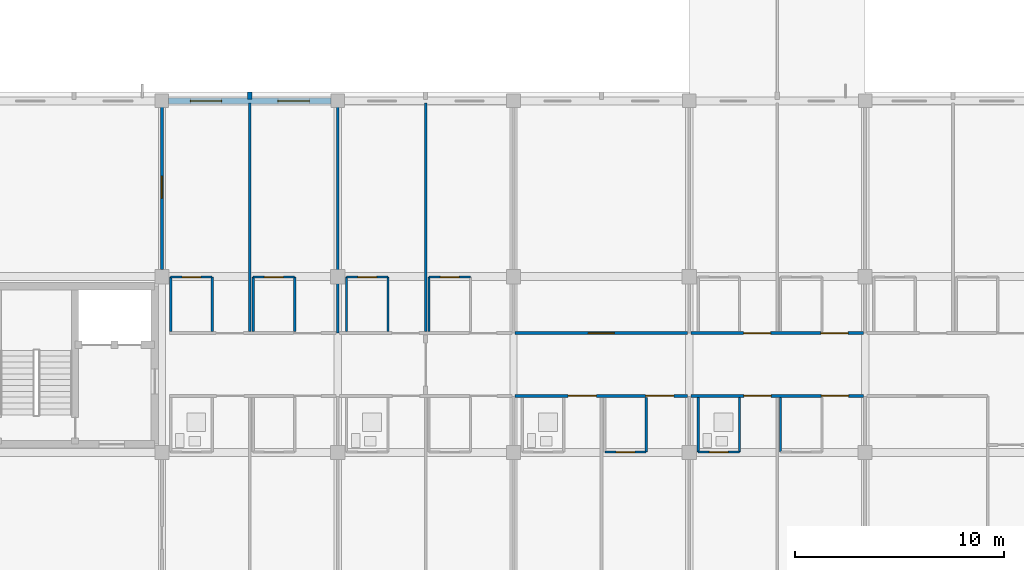
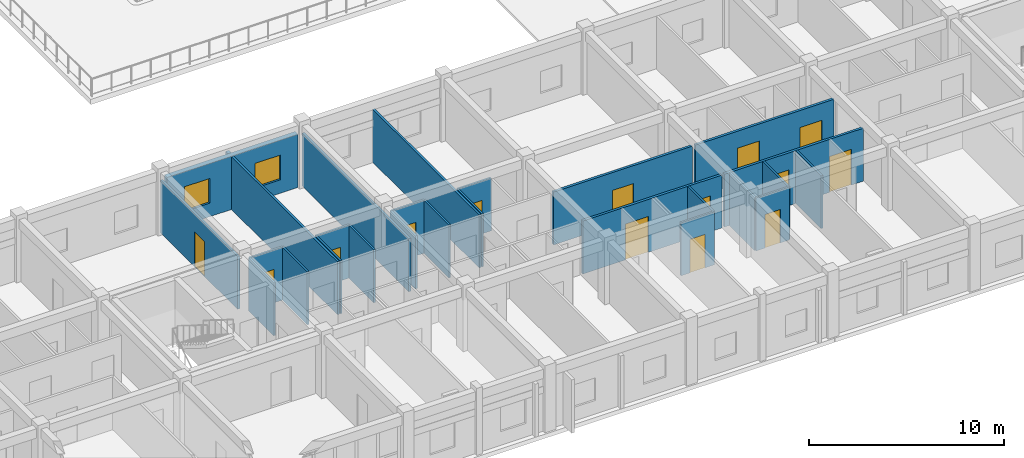
# One storey, part 63 of 90: 27 walls, 14 doors, 2 windows, 16 openings.
"""IFC4 building model written with IfcOpenShell, lengths in metres."""

from ifc_helpers import new_model, si_unit, direction, frame, frame_2d, origin, place, context, subcontext, project, spatial, rectangle, extrude, material, layer, layer_set, type_object, element, fill, save


model = new_model("IFC4")

# Units and contexts
model_context = context("Model", 3, precision=1e-05, world=origin(), true_north=direction((0.0, 1.0)))
body_context = subcontext(model_context, "Body", "Model", "MODEL_VIEW")
ifc_project = project(units=[si_unit("LENGTHUNIT", "METRE"), si_unit("AREAUNIT", "SQUARE_METRE"), si_unit("VOLUMEUNIT", "CUBIC_METRE"), si_unit("PLANEANGLEUNIT", "RADIAN"), si_unit("MASSUNIT", "GRAM", prefix="KILO")], contexts=[model_context])

# Site, building, storey
site_placement = place(None, origin())
site = spatial("IfcSite", under=ifc_project, at=site_placement, CompositionType="ELEMENT")
building_placement = place(site_placement, origin())
building = spatial("IfcBuilding", under=site, at=building_placement, Name="Trelvath General Hospital", CompositionType="ELEMENT")
storey_placement = place(building_placement, frame((0.0, 0.0, 20.39990234375)))
storey = spatial("IfcBuildingStorey", under=building, at=storey_placement, Name="L05", CompositionType="ELEMENT", Elevation=20.39990234375)

# Wall
ifc_material_1 = material(Name="Precast concrete C40/50", Category="concrete")
ifc_layer_1 = layer(ifc_material_1, 0.199951171875)
ifc_layer_set_1 = layer_set([ifc_layer_1], Name="Precast concrete C40/50")
wall_type_1 = type_object("IfcWallType", Name="BriseSoleilRib 200", PredefinedType="ELEMENTEDWALL", material=ifc_layer_set_1)
wall_1_placement = place(storey_placement, frame((54.60009765625, 25.27490234375, 0.0), z_axis=(0.0, 0.0, 1.0), x_axis=(0.0, 1.0, 0.0)))
element("IfcWall", 1, at=wall_1_placement, inside=storey, type_object=wall_type_1, Name="Precast Concrete Brise-Soleil Rib Fin L05-371", PredefinedType="ELEMENTEDWALL", context=body_context, shape_type="SweptSolid", body=[
    extrude(rectangle(XDim=0.340087890625, YDim=0.199951171875, at=frame_2d((0.169921875, 0.0))), origin(), (0.0, 0.0, 1.0), 3.320068359375),
])

# Wall, openings, doors
ifc_material_2 = material(Name="Gypsum acoustic steel-stud partition", Category="steel")
ifc_layer_2 = layer(ifc_material_2, 0.14990234375)
ifc_layer_set_2 = layer_set([ifc_layer_2], Name="Gypsum acoustic steel-stud partition")
wall_type_2 = type_object("IfcWallType", Name="ClinicalPartition 150", PredefinedType="PARTITIONING", material=ifc_layer_set_2)
wall_2_placement = place(storey_placement, frame((67.280029296875, 11.10009765625, 0.0), z_axis=(0.0, 0.0, 1.0), x_axis=(1.0, 0.0, 0.0)))
wall_2 = element("IfcWall", 2, at=wall_2_placement, inside=storey, type_object=wall_type_2, Name="Corridor Partition L05-1797", PredefinedType="PARTITIONING", context=body_context, shape_type="SweptSolid", body=[
    extrude(rectangle(XDim=8.239990234375, YDim=0.14990234375, at=frame_2d((4.1201171875, 0.0))), origin(), (0.0, 0.0, 1.0), 3.320068359375),
])
opening_1_placement = place(wall_2_placement, frame((2.530029296875, 0.0, 0.0)))
opening_1 = element("IfcOpeningElement", 3, at=opening_1_placement, cuts=wall_2, Name="Opening D-5-1189", PredefinedType="OPENING", context=body_context, shape_type="SweptSolid", body=[
    extrude(rectangle(XDim=1.35009765625, YDim=2.25, at=frame_2d((0.675048828125, 1.125))), frame((0.0, 0.0849609375, 0.0), z_axis=(0.0, -1.0, 0.0), x_axis=(1.0, 0.0, 0.0)), (0.0, 0.0, 1.0), 0.169921875),
])
opening_2_placement = place(wall_2_placement, frame((6.22998046875, 0.0, 0.0)))
opening_2 = element("IfcOpeningElement", 4, at=opening_2_placement, cuts=wall_2, Name="Opening D-5-1190", PredefinedType="OPENING", context=body_context, shape_type="SweptSolid", body=[
    extrude(rectangle(XDim=1.35009765625, YDim=2.25, at=frame_2d((0.675048828125, 1.125))), frame((0.0, 0.0849609375, 0.0), z_axis=(0.0, -1.0, 0.0), x_axis=(1.0, 0.0, 0.0)), (0.0, 0.0, 1.0), 0.169921875),
])
ifc_material_3 = material(Name="Airtight isolation bed door")
door_type_1 = type_object("IfcDoorType", Name="Door PatientIso 1350x2250", OperationType="NOTDEFINED", PredefinedType="DOOR", material=ifc_material_3)
door_1_placement = place(opening_1_placement, origin())
door_1 = element("IfcDoor", 5, at=door_1_placement, inside=storey, type_object=door_type_1, Name="Patient Room Door L05-1189", OperationType="SINGLE_SWING_RIGHT", OverallHeight=2.25, OverallWidth=1.35009765625, PredefinedType="DOOR", context=body_context, shape_type="SweptSolid", body=[
    extrude(rectangle(XDim=1.35009765625, YDim=2.25, at=frame_2d((0.675048828125, 1.125))), frame((0.0, 0.02490234375, 0.0), z_axis=(0.0, -1.0, 0.0), x_axis=(1.0, 0.0, 0.0)), (0.0, 0.0, 1.0), 0.050048828125),
])
fill(opening_1, door_1)
door_2_placement = place(opening_2_placement, origin())
door_2 = element("IfcDoor", 6, at=door_2_placement, inside=storey, type_object=door_type_1, Name="Patient Room Door L05-1190", OperationType="SINGLE_SWING_LEFT", OverallHeight=2.25, OverallWidth=1.35009765625, PredefinedType="DOOR", context=body_context, shape_type="SweptSolid", body=[
    extrude(rectangle(XDim=1.35009765625, YDim=2.25, at=frame_2d((0.675048828125, 1.125))), frame((0.0, 0.02490234375, 0.0), z_axis=(0.0, -1.0, 0.0), x_axis=(1.0, 0.0, 0.0)), (0.0, 0.0, 1.0), 0.050048828125),
])
fill(opening_2, door_2)

# Wall, opening, door
wall_3_placement = place(storey_placement, frame((75.52001953125, 14.10009765625, 0.0), z_axis=(0.0, 0.0, 1.0), x_axis=(-1.0, 0.0, 0.0)))
wall_3 = element("IfcWall", 7, at=wall_3_placement, inside=storey, type_object=wall_type_2, Name="Corridor Partition N L05-1805", PredefinedType="PARTITIONING", context=body_context, shape_type="SweptSolid", body=[
    extrude(rectangle(XDim=8.239990234375, YDim=0.14990234375, at=frame_2d((4.1201171875, 0.0))), origin(), (0.0, 0.0, 1.0), 3.320068359375),
])
opening_3_placement = place(wall_3_placement, frame((3.4951171875, 0.0, 0.0)))
opening_3 = element("IfcOpeningElement", 8, at=opening_3_placement, cuts=wall_3, Name="Opening D-5-1193", PredefinedType="OPENING", context=body_context, shape_type="SweptSolid", body=[
    extrude(rectangle(XDim=1.25, YDim=2.199951171875, at=frame_2d((0.625, 1.10009765625))), frame((0.0, 0.0849609375, 0.0), z_axis=(0.0, -1.0, 0.0), x_axis=(1.0, 0.0, 0.0)), (0.0, 0.0, 1.0), 0.169921875),
])
ifc_material_4 = material(Name="Acoustic hospital timber leaf", Category="wood")
door_type_2 = type_object("IfcDoorType", Name="Door Treatment 1250x2200", OperationType="NOTDEFINED", PredefinedType="DOOR", material=ifc_material_4)
door_3_placement = place(opening_3_placement, origin())
door_3 = element("IfcDoor", 9, at=door_3_placement, inside=storey, type_object=door_type_2, Name="Clinical Room Door L05-1193", OperationType="SINGLE_SWING_RIGHT", OverallHeight=2.199951171875, OverallWidth=1.25, PredefinedType="DOOR", context=body_context, shape_type="SweptSolid", body=[
    extrude(rectangle(XDim=1.25, YDim=2.199951171875, at=frame_2d((0.625, 1.10009765625))), frame((0.0, 0.02490234375, 0.0), z_axis=(0.0, -1.0, 0.0), x_axis=(1.0, 0.0, 0.0)), (0.0, 0.0, 1.0), 0.050048828125),
])
fill(opening_3, door_3)

# Wall, openings, doors
wall_4_placement = place(storey_placement, frame((75.679931640625, 11.10009765625, 0.0), z_axis=(0.0, 0.0, 1.0), x_axis=(1.0, 0.0, 0.0)))
wall_4 = element("IfcWall", 10, at=wall_4_placement, inside=storey, type_object=wall_type_2, Name="Corridor Partition L05-1808", PredefinedType="PARTITIONING", context=body_context, shape_type="SweptSolid", body=[
    extrude(rectangle(XDim=8.239990234375, YDim=0.14990234375, at=frame_2d((4.1201171875, 0.0))), origin(), (0.0, 0.0, 1.0), 3.320068359375),
])
opening_4_placement = place(wall_4_placement, frame((2.530029296875, 0.0, 0.0)))
opening_4 = element("IfcOpeningElement", 11, at=opening_4_placement, cuts=wall_4, Name="Opening D-5-1194", PredefinedType="OPENING", context=body_context, shape_type="SweptSolid", body=[
    extrude(rectangle(XDim=1.300048828125, YDim=2.25, at=frame_2d((0.64990234375, 1.125))), frame((0.0, 0.0849609375, 0.0), z_axis=(0.0, -1.0, 0.0), x_axis=(1.0, 0.0, 0.0)), (0.0, 0.0, 1.0), 0.169921875),
])
opening_5_placement = place(wall_4_placement, frame((6.22998046875, 0.0, 0.0)))
opening_5 = element("IfcOpeningElement", 12, at=opening_5_placement, cuts=wall_4, Name="Opening D-5-1195", PredefinedType="OPENING", context=body_context, shape_type="SweptSolid", body=[
    extrude(rectangle(XDim=1.300048828125, YDim=2.25, at=frame_2d((0.64990234375, 1.125))), frame((0.0, 0.0849609375, 0.0), z_axis=(0.0, -1.0, 0.0), x_axis=(1.0, 0.0, 0.0)), (0.0, 0.0, 1.0), 0.169921875),
])
ifc_material_5 = material(Name="Hospital bed-leaf timber door", Category="wood")
door_type_3 = type_object("IfcDoorType", Name="Door PatientBed 1300x2250", OperationType="NOTDEFINED", PredefinedType="DOOR", material=ifc_material_5)
door_4_placement = place(opening_4_placement, origin())
door_4 = element("IfcDoor", 13, at=door_4_placement, inside=storey, type_object=door_type_3, Name="Patient Room Door L05-1194", OperationType="SINGLE_SWING_LEFT", OverallHeight=2.25, OverallWidth=1.300048828125, PredefinedType="DOOR", context=body_context, shape_type="SweptSolid", body=[
    extrude(rectangle(XDim=1.300048828125, YDim=2.25, at=frame_2d((0.64990234375, 1.125))), frame((0.0, 0.02490234375, 0.0), z_axis=(0.0, -1.0, 0.0), x_axis=(1.0, 0.0, 0.0)), (0.0, 0.0, 1.0), 0.050048828125),
])
fill(opening_4, door_4)
door_5_placement = place(opening_5_placement, origin())
door_5 = element("IfcDoor", 14, at=door_5_placement, inside=storey, type_object=door_type_3, Name="Patient Room Door L05-1195", OperationType="SINGLE_SWING_RIGHT", OverallHeight=2.25, OverallWidth=1.300048828125, PredefinedType="DOOR", context=body_context, shape_type="SweptSolid", body=[
    extrude(rectangle(XDim=1.300048828125, YDim=2.25, at=frame_2d((0.64990234375, 1.125))), frame((0.0, 0.02490234375, 0.0), z_axis=(0.0, -1.0, 0.0), x_axis=(1.0, 0.0, 0.0)), (0.0, 0.0, 1.0), 0.050048828125),
])
fill(opening_5, door_5)

wall_5_placement = place(storey_placement, frame((83.919921875, 14.10009765625, 0.0), z_axis=(0.0, 0.0, 1.0), x_axis=(-1.0, 0.0, 0.0)))
wall_5 = element("IfcWall", 15, at=wall_5_placement, inside=storey, type_object=wall_type_2, Name="Corridor Partition N L05-1817", PredefinedType="PARTITIONING", context=body_context, shape_type="SweptSolid", body=[
    extrude(rectangle(XDim=8.239990234375, YDim=0.14990234375, at=frame_2d((4.1201171875, 0.0))), origin(), (0.0, 0.0, 1.0), 3.320068359375),
])
opening_6_placement = place(wall_5_placement, frame((0.72998046875, 0.0, 0.0)))
opening_6 = element("IfcOpeningElement", 16, at=opening_6_placement, cuts=wall_5, Name="Opening D-5-1198", PredefinedType="OPENING", context=body_context, shape_type="SweptSolid", body=[
    extrude(rectangle(XDim=1.300048828125, YDim=2.25, at=frame_2d((0.64990234375, 1.125))), frame((0.0, 0.0849609375, 0.0), z_axis=(0.0, -1.0, 0.0), x_axis=(1.0, 0.0, 0.0)), (0.0, 0.0, 1.0), 0.169921875),
])
opening_7_placement = place(wall_5_placement, frame((4.429931640625, 0.0, 0.0)))
opening_7 = element("IfcOpeningElement", 17, at=opening_7_placement, cuts=wall_5, Name="Opening D-5-1199", PredefinedType="OPENING", context=body_context, shape_type="SweptSolid", body=[
    extrude(rectangle(XDim=1.300048828125, YDim=2.25, at=frame_2d((0.64990234375, 1.125))), frame((0.0, 0.0849609375, 0.0), z_axis=(0.0, -1.0, 0.0), x_axis=(1.0, 0.0, 0.0)), (0.0, 0.0, 1.0), 0.169921875),
])
door_6_placement = place(opening_6_placement, origin())
door_6 = element("IfcDoor", 18, at=door_6_placement, inside=storey, type_object=door_type_3, Name="Patient Room Door N L05-1198", OperationType="SINGLE_SWING_LEFT", OverallHeight=2.25, OverallWidth=1.300048828125, PredefinedType="DOOR", context=body_context, shape_type="SweptSolid", body=[
    extrude(rectangle(XDim=1.300048828125, YDim=2.25, at=frame_2d((0.64990234375, 1.125))), frame((0.0, 0.02490234375, 0.0), z_axis=(0.0, -1.0, 0.0), x_axis=(1.0, 0.0, 0.0)), (0.0, 0.0, 1.0), 0.050048828125),
])
fill(opening_6, door_6)
door_7_placement = place(opening_7_placement, origin())
door_7 = element("IfcDoor", 19, at=door_7_placement, inside=storey, type_object=door_type_3, Name="Patient Room Door N L05-1199", OperationType="SINGLE_SWING_LEFT", OverallHeight=2.25, OverallWidth=1.300048828125, PredefinedType="DOOR", context=body_context, shape_type="SweptSolid", body=[
    extrude(rectangle(XDim=1.300048828125, YDim=2.25, at=frame_2d((0.64990234375, 1.125))), frame((0.0, 0.02490234375, 0.0), z_axis=(0.0, -1.0, 0.0), x_axis=(1.0, 0.0, 0.0)), (0.0, 0.0, 1.0), 0.050048828125),
])
fill(opening_7, door_7)

# Walls
ifc_material_6 = material(Name="Moisture-resistant tile partition")
ifc_layer_3 = layer(ifc_material_6, 0.110107421875)
ifc_layer_set_3 = layer_set([ifc_layer_3], Name="Moisture-resistant tile partition")
wall_type_3 = type_object("IfcWallType", Name="EnSuiteWetWall 110", PredefinedType="PARTITIONING", material=ifc_layer_set_3)
for number, where, z_axis, x_axis, name in (
    (20, (50.820068359375, 14.169921875, 0.0), (0.0, 0.0, 1.0), (0.0, 1.0, 0.0), "En-Suite W Wall N L05-1770"),
    (21, (52.800048828125, 14.169921875, 0.0), (0.0, 0.0, 1.0), (0.0, 1.0, 0.0), "En-Suite E Wall N L05-1771"),
):
    element("IfcWall", number, at=place(storey_placement, frame(where, z_axis=z_axis, x_axis=x_axis)), inside=storey, type_object=wall_type_3, Name=name, PredefinedType="PARTITIONING", context=body_context, shape_type="SweptSolid", body=[
        extrude(rectangle(XDim=2.610107421875, YDim=0.110107421875, at=frame_2d((1.30517578125, 0.0))), origin(), (0.0, 0.0, 1.0), 3.320068359375),
    ])

# Wall, opening, door
wall_6_placement = place(storey_placement, frame((50.820068359375, 16.780029296875, 0.0), z_axis=(0.0, 0.0, 1.0), x_axis=(1.0, 0.0, 0.0)))
wall_6 = element("IfcWall", 22, at=wall_6_placement, inside=storey, type_object=wall_type_3, Name="En-Suite Bathroom N Partition L05-1772", PredefinedType="PARTITIONING", context=body_context, shape_type="SweptSolid", body=[
    extrude(rectangle(XDim=1.97998046875, YDim=0.110107421875, at=frame_2d((0.989990234375, 0.0))), origin(), (0.0, 0.0, 1.0), 3.320068359375),
])
opening_8_placement = place(wall_6_placement, frame((0.5400390625, 0.0, 0.0)))
opening_8 = element("IfcOpeningElement", 23, at=opening_8_placement, cuts=wall_6, Name="Opening D-5-1178", PredefinedType="OPENING", context=body_context, shape_type="SweptSolid", body=[
    extrude(rectangle(XDim=0.89990234375, YDim=2.10009765625, at=frame_2d((0.449951171875, 1.050048828125))), frame((0.0, 0.06494140625, 0.0), z_axis=(0.0, -1.0, 0.0), x_axis=(1.0, 0.0, 0.0)), (0.0, 0.0, 1.0), 0.130126953125),
])
ifc_material_7 = material(Name="Moisture-sealed timber leaf", Category="wood")
door_type_4 = type_object("IfcDoorType", Name="Door EnSuite 900x2100", OperationType="NOTDEFINED", PredefinedType="DOOR", material=ifc_material_7)
door_8_placement = place(opening_8_placement, origin())
door_8 = element("IfcDoor", 24, at=door_8_placement, inside=storey, type_object=door_type_4, Name="En-Suite Bathroom N Door L05-1178", OperationType="SINGLE_SWING_LEFT", OverallHeight=2.10009765625, OverallWidth=0.89990234375, PredefinedType="DOOR", context=body_context, shape_type="SweptSolid", body=[
    extrude(rectangle(XDim=0.89990234375, YDim=2.10009765625, at=frame_2d((0.449951171875, 1.050048828125))), frame((0.0, 0.02490234375, 0.0), z_axis=(0.0, -1.0, 0.0), x_axis=(1.0, 0.0, 0.0)), (0.0, 0.0, 1.0), 0.050048828125),
])
fill(opening_8, door_8)

# Walls
for number, where, z_axis, x_axis, name in (
    (25, (54.760009765625, 14.169921875, 0.0), (0.0, 0.0, 1.0), (0.0, 1.0, 0.0), "En-Suite W Wall N L05-1773"),
    (26, (56.739990234375, 14.169921875, 0.0), (0.0, 0.0, 1.0), (0.0, 1.0, 0.0), "En-Suite E Wall N L05-1774"),
):
    element("IfcWall", number, at=place(storey_placement, frame(where, z_axis=z_axis, x_axis=x_axis)), inside=storey, type_object=wall_type_3, Name=name, PredefinedType="PARTITIONING", context=body_context, shape_type="SweptSolid", body=[
        extrude(rectangle(XDim=2.610107421875, YDim=0.110107421875, at=frame_2d((1.30517578125, 0.0))), origin(), (0.0, 0.0, 1.0), 3.320068359375),
    ])

# Wall, opening, door
wall_7_placement = place(storey_placement, frame((54.760009765625, 16.780029296875, 0.0), z_axis=(0.0, 0.0, 1.0), x_axis=(1.0, 0.0, 0.0)))
wall_7 = element("IfcWall", 27, at=wall_7_placement, inside=storey, type_object=wall_type_3, Name="En-Suite Bathroom N Partition L05-1775", PredefinedType="PARTITIONING", context=body_context, shape_type="SweptSolid", body=[
    extrude(rectangle(XDim=1.97998046875, YDim=0.110107421875, at=frame_2d((0.989990234375, 0.0))), origin(), (0.0, 0.0, 1.0), 3.320068359375),
])
opening_9_placement = place(wall_7_placement, frame((0.5400390625, 0.0, 0.0)))
opening_9 = element("IfcOpeningElement", 28, at=opening_9_placement, cuts=wall_7, Name="Opening D-5-1179", PredefinedType="OPENING", context=body_context, shape_type="SweptSolid", body=[
    extrude(rectangle(XDim=0.89990234375, YDim=2.10009765625, at=frame_2d((0.449951171875, 1.050048828125))), frame((0.0, 0.06494140625, 0.0), z_axis=(0.0, -1.0, 0.0), x_axis=(1.0, 0.0, 0.0)), (0.0, 0.0, 1.0), 0.130126953125),
])
door_9_placement = place(opening_9_placement, origin())
door_9 = element("IfcDoor", 29, at=door_9_placement, inside=storey, type_object=door_type_4, Name="En-Suite Bathroom N Door L05-1179", OperationType="SINGLE_SWING_RIGHT", OverallHeight=2.10009765625, OverallWidth=0.89990234375, PredefinedType="DOOR", context=body_context, shape_type="SweptSolid", body=[
    extrude(rectangle(XDim=0.89990234375, YDim=2.10009765625, at=frame_2d((0.449951171875, 1.050048828125))), frame((0.0, 0.02490234375, 0.0), z_axis=(0.0, -1.0, 0.0), x_axis=(1.0, 0.0, 0.0)), (0.0, 0.0, 1.0), 0.050048828125),
])
fill(opening_9, door_9)

# Walls
for number, where, z_axis, x_axis, name in (
    (30, (59.219970703125, 14.169921875, 0.0), (0.0, 0.0, 1.0), (0.0, 1.0, 0.0), "En-Suite W Wall N L05-1788"),
    (31, (61.199951171875, 14.169921875, 0.0), (0.0, 0.0, 1.0), (0.0, 1.0, 0.0), "En-Suite E Wall N L05-1789"),
):
    element("IfcWall", number, at=place(storey_placement, frame(where, z_axis=z_axis, x_axis=x_axis)), inside=storey, type_object=wall_type_3, Name=name, PredefinedType="PARTITIONING", context=body_context, shape_type="SweptSolid", body=[
        extrude(rectangle(XDim=2.610107421875, YDim=0.110107421875, at=frame_2d((1.30517578125, 0.0))), origin(), (0.0, 0.0, 1.0), 3.320068359375),
    ])

# Wall, opening, door
wall_8_placement = place(storey_placement, frame((59.219970703125, 16.780029296875, 0.0), z_axis=(0.0, 0.0, 1.0), x_axis=(1.0, 0.0, 0.0)))
wall_8 = element("IfcWall", 32, at=wall_8_placement, inside=storey, type_object=wall_type_3, Name="En-Suite Bathroom N Partition L05-1790", PredefinedType="PARTITIONING", context=body_context, shape_type="SweptSolid", body=[
    extrude(rectangle(XDim=1.97998046875, YDim=0.110107421875, at=frame_2d((0.989990234375, 0.0))), origin(), (0.0, 0.0, 1.0), 3.320068359375),
])
opening_10_placement = place(wall_8_placement, frame((0.5400390625, 0.0, 0.0)))
opening_10 = element("IfcOpeningElement", 33, at=opening_10_placement, cuts=wall_8, Name="Opening D-5-1186", PredefinedType="OPENING", context=body_context, shape_type="SweptSolid", body=[
    extrude(rectangle(XDim=0.89990234375, YDim=2.10009765625, at=frame_2d((0.449951171875, 1.050048828125))), frame((0.0, 0.06494140625, 0.0), z_axis=(0.0, -1.0, 0.0), x_axis=(1.0, 0.0, 0.0)), (0.0, 0.0, 1.0), 0.130126953125),
])
door_10_placement = place(opening_10_placement, origin())
door_10 = element("IfcDoor", 34, at=door_10_placement, inside=storey, type_object=door_type_4, Name="En-Suite Bathroom N Door L05-1186", OperationType="SINGLE_SWING_RIGHT", OverallHeight=2.10009765625, OverallWidth=0.89990234375, PredefinedType="DOOR", context=body_context, shape_type="SweptSolid", body=[
    extrude(rectangle(XDim=0.89990234375, YDim=2.10009765625, at=frame_2d((0.449951171875, 1.050048828125))), frame((0.0, 0.02490234375, 0.0), z_axis=(0.0, -1.0, 0.0), x_axis=(1.0, 0.0, 0.0)), (0.0, 0.0, 1.0), 0.050048828125),
])
fill(opening_10, door_10)

# Wall
wall_9_placement = place(storey_placement, frame((63.159912109375, 14.169921875, 0.0), z_axis=(0.0, 0.0, 1.0), x_axis=(0.0, 1.0, 0.0)))
element("IfcWall", 35, at=wall_9_placement, inside=storey, type_object=wall_type_3, Name="En-Suite W Wall N L05-1791", PredefinedType="PARTITIONING", context=body_context, shape_type="SweptSolid", body=[
    extrude(rectangle(XDim=2.610107421875, YDim=0.110107421875, at=frame_2d((1.30517578125, 0.0))), origin(), (0.0, 0.0, 1.0), 3.320068359375),
])

# Wall, opening, door
wall_10_placement = place(storey_placement, frame((63.159912109375, 16.780029296875, 0.0), z_axis=(0.0, 0.0, 1.0), x_axis=(1.0, 0.0, 0.0)))
wall_10 = element("IfcWall", 36, at=wall_10_placement, inside=storey, type_object=wall_type_3, Name="En-Suite Bathroom N Partition L05-1793", PredefinedType="PARTITIONING", context=body_context, shape_type="SweptSolid", body=[
    extrude(rectangle(XDim=1.97998046875, YDim=0.110107421875, at=frame_2d((0.989990234375, 0.0))), origin(), (0.0, 0.0, 1.0), 3.320068359375),
])
opening_11_placement = place(wall_10_placement, frame((0.5400390625, 0.0, 0.0)))
opening_11 = element("IfcOpeningElement", 37, at=opening_11_placement, cuts=wall_10, Name="Opening D-5-1187", PredefinedType="OPENING", context=body_context, shape_type="SweptSolid", body=[
    extrude(rectangle(XDim=0.89990234375, YDim=2.10009765625, at=frame_2d((0.449951171875, 1.050048828125))), frame((0.0, 0.06494140625, 0.0), z_axis=(0.0, -1.0, 0.0), x_axis=(1.0, 0.0, 0.0)), (0.0, 0.0, 1.0), 0.130126953125),
])
door_11_placement = place(opening_11_placement, origin())
door_11 = element("IfcDoor", 38, at=door_11_placement, inside=storey, type_object=door_type_4, Name="En-Suite Bathroom N Door L05-1187", OperationType="SINGLE_SWING_LEFT", OverallHeight=2.10009765625, OverallWidth=0.89990234375, PredefinedType="DOOR", context=body_context, shape_type="SweptSolid", body=[
    extrude(rectangle(XDim=0.89990234375, YDim=2.10009765625, at=frame_2d((0.449951171875, 1.050048828125))), frame((0.0, 0.02490234375, 0.0), z_axis=(0.0, -1.0, 0.0), x_axis=(1.0, 0.0, 0.0)), (0.0, 0.0, 1.0), 0.050048828125),
])
fill(opening_11, door_11)

# Wall
wall_11_placement = place(storey_placement, frame((73.5400390625, 8.419921875, 0.0), z_axis=(0.0, 0.0, 1.0), x_axis=(0.0, 1.0, 0.0)))
element("IfcWall", 39, at=wall_11_placement, inside=storey, type_object=wall_type_3, Name="En-Suite E Wall L05-1803", PredefinedType="PARTITIONING", context=body_context, shape_type="SweptSolid", body=[
    extrude(rectangle(XDim=2.610107421875, YDim=0.110107421875, at=frame_2d((1.30517578125, 0.0))), origin(), (0.0, 0.0, 1.0), 3.320068359375),
])

# Wall, opening, door
wall_12_placement = place(storey_placement, frame((71.56005859375, 8.419921875, 0.0), z_axis=(0.0, 0.0, 1.0), x_axis=(1.0, 0.0, 0.0)))
wall_12 = element("IfcWall", 40, at=wall_12_placement, inside=storey, type_object=wall_type_3, Name="En-Suite Bathroom Partition L05-1804", PredefinedType="PARTITIONING", context=body_context, shape_type="SweptSolid", body=[
    extrude(rectangle(XDim=1.97998046875, YDim=0.110107421875, at=frame_2d((0.989990234375, 0.0))), origin(), (0.0, 0.0, 1.0), 3.320068359375),
])
opening_12_placement = place(wall_12_placement, frame((0.5400390625, 0.0, 0.0)))
opening_12 = element("IfcOpeningElement", 41, at=opening_12_placement, cuts=wall_12, Name="Opening D-5-1192", PredefinedType="OPENING", context=body_context, shape_type="SweptSolid", body=[
    extrude(rectangle(XDim=0.89990234375, YDim=2.10009765625, at=frame_2d((0.449951171875, 1.050048828125))), frame((0.0, 0.06494140625, 0.0), z_axis=(0.0, -1.0, 0.0), x_axis=(1.0, 0.0, 0.0)), (0.0, 0.0, 1.0), 0.130126953125),
])
door_12_placement = place(opening_12_placement, origin())
door_12 = element("IfcDoor", 42, at=door_12_placement, inside=storey, type_object=door_type_4, Name="En-Suite Bathroom Door L05-1192", OperationType="SINGLE_SWING_LEFT", OverallHeight=2.10009765625, OverallWidth=0.89990234375, PredefinedType="DOOR", context=body_context, shape_type="SweptSolid", body=[
    extrude(rectangle(XDim=0.89990234375, YDim=2.10009765625, at=frame_2d((0.449951171875, 1.050048828125))), frame((0.0, 0.02490234375, 0.0), z_axis=(0.0, -1.0, 0.0), x_axis=(1.0, 0.0, 0.0)), (0.0, 0.0, 1.0), 0.050048828125),
])
fill(opening_12, door_12)

# Walls
for number, where, z_axis, x_axis, name in (
    (43, (76.02001953125, 8.419921875, 0.0), (0.0, 0.0, 1.0), (0.0, 1.0, 0.0), "En-Suite W Wall L05-1810"),
    (44, (78.0, 8.419921875, 0.0), (0.0, 0.0, 1.0), (0.0, 1.0, 0.0), "En-Suite E Wall L05-1811"),
):
    element("IfcWall", number, at=place(storey_placement, frame(where, z_axis=z_axis, x_axis=x_axis)), inside=storey, type_object=wall_type_3, Name=name, PredefinedType="PARTITIONING", context=body_context, shape_type="SweptSolid", body=[
        extrude(rectangle(XDim=2.610107421875, YDim=0.110107421875, at=frame_2d((1.30517578125, 0.0))), origin(), (0.0, 0.0, 1.0), 3.320068359375),
    ])

# Wall, opening, door
wall_13_placement = place(storey_placement, frame((76.02001953125, 8.419921875, 0.0), z_axis=(0.0, 0.0, 1.0), x_axis=(1.0, 0.0, 0.0)))
wall_13 = element("IfcWall", 45, at=wall_13_placement, inside=storey, type_object=wall_type_3, Name="En-Suite Bathroom Partition L05-1812", PredefinedType="PARTITIONING", context=body_context, shape_type="SweptSolid", body=[
    extrude(rectangle(XDim=1.97998046875, YDim=0.110107421875, at=frame_2d((0.989990234375, 0.0))), origin(), (0.0, 0.0, 1.0), 3.320068359375),
])
opening_13_placement = place(wall_13_placement, frame((0.5400390625, 0.0, 0.0)))
opening_13 = element("IfcOpeningElement", 46, at=opening_13_placement, cuts=wall_13, Name="Opening D-5-1196", PredefinedType="OPENING", context=body_context, shape_type="SweptSolid", body=[
    extrude(rectangle(XDim=0.89990234375, YDim=2.10009765625, at=frame_2d((0.449951171875, 1.050048828125))), frame((0.0, 0.06494140625, 0.0), z_axis=(0.0, -1.0, 0.0), x_axis=(1.0, 0.0, 0.0)), (0.0, 0.0, 1.0), 0.130126953125),
])
door_13_placement = place(opening_13_placement, origin())
door_13 = element("IfcDoor", 47, at=door_13_placement, inside=storey, type_object=door_type_4, Name="En-Suite Bathroom Door L05-1196", OperationType="SINGLE_SWING_LEFT", OverallHeight=2.10009765625, OverallWidth=0.89990234375, PredefinedType="DOOR", context=body_context, shape_type="SweptSolid", body=[
    extrude(rectangle(XDim=0.89990234375, YDim=2.10009765625, at=frame_2d((0.449951171875, 1.050048828125))), frame((0.0, 0.02490234375, 0.0), z_axis=(0.0, -1.0, 0.0), x_axis=(1.0, 0.0, 0.0)), (0.0, 0.0, 1.0), 0.050048828125),
])
fill(opening_13, door_13)

# Wall
wall_14_placement = place(storey_placement, frame((79.9599609375, 8.419921875, 0.0), z_axis=(0.0, 0.0, 1.0), x_axis=(0.0, 1.0, 0.0)))
element("IfcWall", 48, at=wall_14_placement, inside=storey, type_object=wall_type_3, Name="En-Suite W Wall L05-1813", PredefinedType="PARTITIONING", context=body_context, shape_type="SweptSolid", body=[
    extrude(rectangle(XDim=2.610107421875, YDim=0.110107421875, at=frame_2d((1.30517578125, 0.0))), origin(), (0.0, 0.0, 1.0), 3.320068359375),
])

# Wall, openings, windows
ifc_material_8 = material(Name="Concrete C35/45", Category="concrete")
ifc_layer_4 = layer(ifc_material_8, 0.2900390625)
ifc_layer_set_4 = layer_set([ifc_layer_4], Name="Concrete C35/45")
wall_type_4 = type_object("IfcWallType", Name="ExtBushHammeredWall 290", PredefinedType="SOLIDWALL", material=ifc_layer_set_4)
wall_15_placement = place(storey_placement, frame((50.719970703125, 25.199951171875, 0.0), z_axis=(0.0, 0.0, 1.0), x_axis=(1.0, 0.0, 0.0)))
wall_15 = element("IfcWall", 49, at=wall_15_placement, inside=storey, type_object=wall_type_4, Name="Exterior Concrete Wall L05-505", PredefinedType="SOLIDWALL", context=body_context, shape_type="SweptSolid", body=[
    extrude(rectangle(XDim=7.760009765625, YDim=0.2900390625, at=frame_2d((3.8798828125, 0.0))), origin(), (0.0, 0.0, 1.0), 3.340087890625),
])
opening_14_placement = place(wall_15_placement, frame((1.034912109375, 0.0, 0.85009765625)))
opening_14 = element("IfcOpeningElement", 50, at=opening_14_placement, cuts=wall_15, Name="Opening WN-5-835", PredefinedType="OPENING", context=body_context, shape_type="SweptSolid", body=[
    extrude(rectangle(XDim=1.5, YDim=1.550048828125, at=frame_2d((0.75, 0.77490234375))), frame((0.0, 0.155029296875, 0.0), z_axis=(0.0, -1.0, 0.0), x_axis=(1.0, 0.0, 0.0)), (0.0, 0.0, 1.0), 0.31005859375),
])
opening_15_placement = place(wall_15_placement, frame((5.22509765625, 0.0, 0.85009765625)))
opening_15 = element("IfcOpeningElement", 51, at=opening_15_placement, cuts=wall_15, Name="Opening WN-5-836", PredefinedType="OPENING", context=body_context, shape_type="SweptSolid", body=[
    extrude(rectangle(XDim=1.5, YDim=1.550048828125, at=frame_2d((0.75, 0.77490234375))), frame((0.0, 0.155029296875, 0.0), z_axis=(0.0, -1.0, 0.0), x_axis=(1.0, 0.0, 0.0)), (0.0, 0.0, 1.0), 0.31005859375),
])
ifc_material_9 = material(Name="Low-E laminated glass", Category="glass")
window_type = type_object("IfcWindowType", Name="Window Ortho 1500x1550", PartitioningType="DOUBLE_PANEL_VERTICAL", PredefinedType="WINDOW", material=ifc_material_9)
window_1_placement = place(opening_14_placement, origin())
window_1 = element("IfcWindow", 52, at=window_1_placement, inside=storey, type_object=window_type, Name="Solar Reveal Window L05-835", OverallHeight=1.550048828125, OverallWidth=1.5, PartitioningType="SINGLE_PANEL", PredefinedType="WINDOW", context=body_context, shape_type="SweptSolid", body=[
    extrude(rectangle(XDim=1.5, YDim=1.550048828125, at=frame_2d((0.75, 0.77490234375))), frame((0.0, 0.030029296875, 0.0), z_axis=(0.0, -1.0, 0.0), x_axis=(1.0, 0.0, 0.0)), (0.0, 0.0, 1.0), 0.06005859375),
])
fill(opening_14, window_1)
window_2_placement = place(opening_15_placement, origin())
window_2 = element("IfcWindow", 53, at=window_2_placement, inside=storey, type_object=window_type, Name="Solar Reveal Window L05-836", OverallHeight=1.550048828125, OverallWidth=1.5, PartitioningType="SINGLE_PANEL", PredefinedType="WINDOW", context=body_context, shape_type="SweptSolid", body=[
    extrude(rectangle(XDim=1.5, YDim=1.550048828125, at=frame_2d((0.75, 0.77490234375))), frame((0.0, 0.030029296875, 0.0), z_axis=(0.0, -1.0, 0.0), x_axis=(1.0, 0.0, 0.0)), (0.0, 0.0, 1.0), 0.06005859375),
])
fill(opening_15, window_2)

# Wall, opening, door
ifc_material_10 = material(Name="Gypsum acoustic steel-stud partition", Category="steel")
ifc_layer_5 = layer(ifc_material_10, 0.1298828125)
ifc_layer_set_5 = layer_set([ifc_layer_5], Name="Gypsum acoustic steel-stud partition")
wall_type_5 = type_object("IfcWallType", Name="WardPartition 130", PredefinedType="PARTITIONING", material=ifc_layer_set_5)
wall_16_placement = place(storey_placement, frame((50.39990234375, 17.14990234375, 0.0), z_axis=(0.0, 0.0, 1.0), x_axis=(0.0, 1.0, 0.0)))
wall_16 = element("IfcWall", 54, at=wall_16_placement, inside=storey, type_object=wall_type_5, Name="Inter-Bay Ward Partition N L05-1758", PredefinedType="PARTITIONING", context=body_context, shape_type="SweptSolid", body=[
    extrude(rectangle(XDim=7.91015625, YDim=0.1298828125, at=frame_2d((3.955078125, 0.0))), origin(), (0.0, 0.0, 1.0), 3.320068359375),
])
opening_16_placement = place(wall_16_placement, frame((3.39990234375, 0.0, 0.0)))
opening_16 = element("IfcOpeningElement", 55, at=opening_16_placement, cuts=wall_16, Name="Opening D-5-1171", PredefinedType="OPENING", context=body_context, shape_type="SweptSolid", body=[
    extrude(rectangle(XDim=1.050048828125, YDim=2.199951171875, at=frame_2d((0.52490234375, 1.10009765625))), frame((0.0, 0.074951171875, 0.0), z_axis=(0.0, -1.0, 0.0), x_axis=(1.0, 0.0, 0.0)), (0.0, 0.0, 1.0), 0.14990234375),
])
ifc_material_11 = material(Name="Acoustic hospital timber leaf", Category="wood")
door_type_5 = type_object("IfcDoorType", Name="Door Consult 1050x2200", OperationType="NOTDEFINED", PredefinedType="DOOR", material=ifc_material_11)
door_14_placement = place(opening_16_placement, origin())
door_14 = element("IfcDoor", 56, at=door_14_placement, inside=storey, type_object=door_type_5, Name="Consultation Connecting Door L05-1171", OperationType="SINGLE_SWING_LEFT", OverallHeight=2.199951171875, OverallWidth=1.050048828125, PredefinedType="DOOR", context=body_context, shape_type="SweptSolid", body=[
    extrude(rectangle(XDim=1.050048828125, YDim=2.199951171875, at=frame_2d((0.52490234375, 1.10009765625))), frame((0.0, 0.02490234375, 0.0), z_axis=(0.0, -1.0, 0.0), x_axis=(1.0, 0.0, 0.0)), (0.0, 0.0, 1.0), 0.050048828125),
])
fill(opening_16, door_14)

# Walls
wall_17_placement = place(storey_placement, frame((54.60009765625, 14.169921875, 0.0), z_axis=(0.0, 0.0, 1.0), x_axis=(0.0, 1.0, 0.0)))
element("IfcWall", 57, at=wall_17_placement, inside=storey, type_object=wall_type_5, Name="Room Dividing Partition N L05-1769", PredefinedType="PARTITIONING", context=body_context, shape_type="SweptSolid", body=[
    extrude(rectangle(XDim=10.93017578125, YDim=0.1298828125, at=frame_2d((5.465087890625, 0.0))), origin(), (0.0, 0.0, 1.0), 3.320068359375),
])
wall_18_placement = place(storey_placement, frame((58.800048828125, 14.1201171875, 0.0), z_axis=(0.0, 0.0, 1.0), x_axis=(0.0, 1.0, 0.0)))
element("IfcWall", 58, at=wall_18_placement, inside=storey, type_object=wall_type_5, Name="Inter-Bay Ward Partition N L05-1777", PredefinedType="PARTITIONING", context=body_context, shape_type="SweptSolid", body=[
    extrude(rectangle(XDim=10.93994140625, YDim=0.1298828125, at=frame_2d((5.469970703125, 0.0))), origin(), (0.0, 0.0, 1.0), 3.320068359375),
])
wall_19_placement = place(storey_placement, frame((63.0, 14.169921875, 0.0), z_axis=(0.0, 0.0, 1.0), x_axis=(0.0, 1.0, 0.0)))
element("IfcWall", 59, at=wall_19_placement, inside=storey, type_object=wall_type_5, Name="Room Dividing Partition N L05-1787", PredefinedType="PARTITIONING", context=body_context, shape_type="SweptSolid", body=[
    extrude(rectangle(XDim=10.93017578125, YDim=0.1298828125, at=frame_2d((5.465087890625, 0.0))), origin(), (0.0, 0.0, 1.0), 3.320068359375),
])

save(model, "model.ifc")
